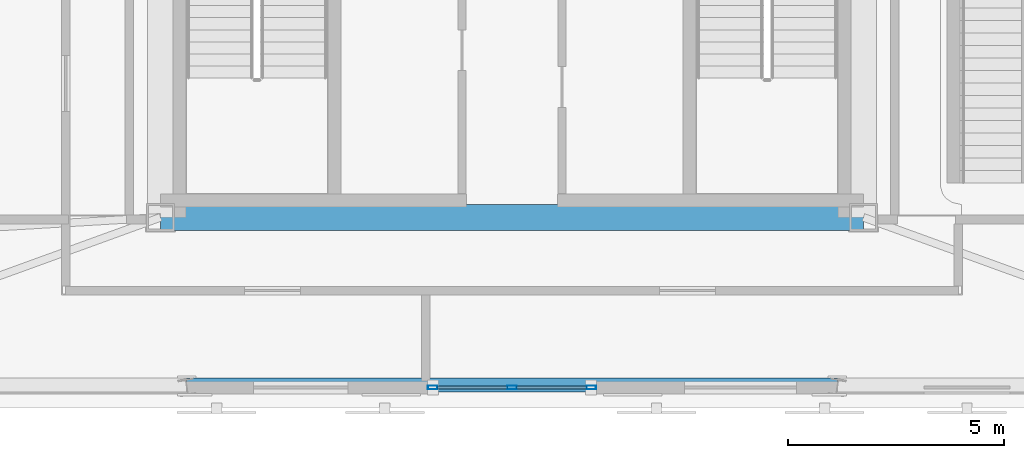
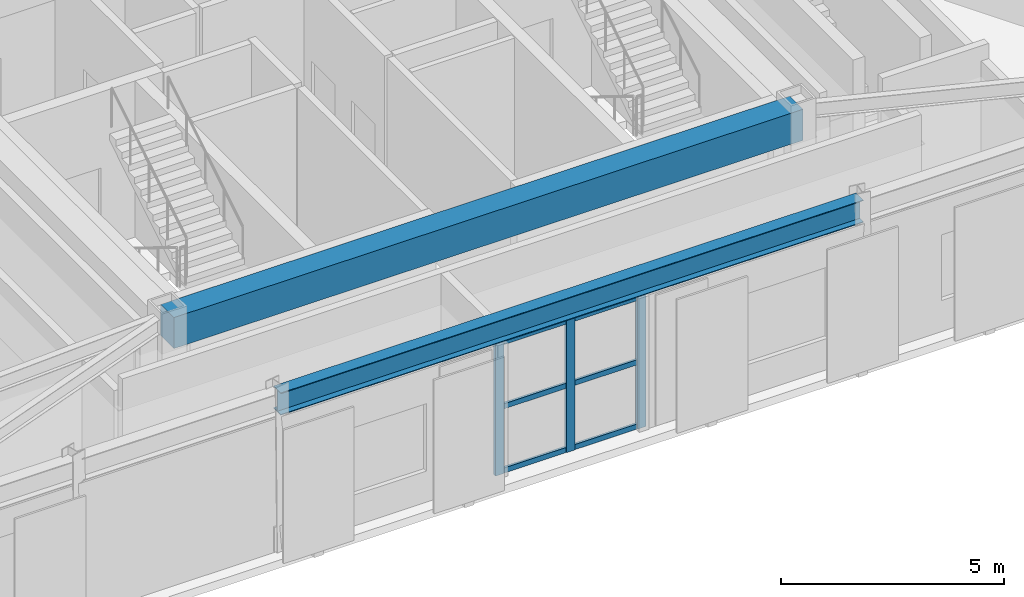
# One storey, part 2 of 15: 9 members, 2 beams, 1 element without a shape of its own.
"""IFC4 building model written with IfcOpenShell, lengths in metres."""

from ifc_helpers import new_model, si_unit, direction, frame, origin, origin_2d, place, context, subcontext, project, spatial, rectangle, hollow_rectangle, i_section, extrude, material, layer, layer_set, material_profile, profile_set, type_object, element, aggregate, save


model = new_model("IFC4")

# Units and contexts
model_context = context("Model", 3, precision=1e-05, world=origin(), true_north=direction((0.0, 1.0)))
body_context = subcontext(model_context, "Body", "Model", "MODEL_VIEW")
ifc_project = project(units=[si_unit("LENGTHUNIT", "METRE"), si_unit("AREAUNIT", "SQUARE_METRE"), si_unit("VOLUMEUNIT", "CUBIC_METRE"), si_unit("PLANEANGLEUNIT", "RADIAN"), si_unit("MASSUNIT", "GRAM", prefix="KILO")], contexts=[model_context])

# Site, building, storey
site_placement = place(None, origin())
site = spatial("IfcSite", under=ifc_project, at=site_placement, CompositionType="ELEMENT")
building_placement = place(site_placement, origin())
building = spatial("IfcBuilding", under=site, at=building_placement, Name="Oramaril Tower", CompositionType="ELEMENT")
storey_placement = place(building_placement, frame((0.0, 0.0, 305.10009765625)))
storey = spatial("IfcBuildingStorey", under=building, at=storey_placement, Name="L80", CompositionType="ELEMENT", Elevation=305.10009765625)

# Beams
ifc_material_1 = material(Name="Concrete C50/60", Category="concrete")
ifc_material_profile_1 = material_profile(ifc_material_1, rectangle(XDim=0.60009765625, YDim=0.85009765625, at=origin_2d()), Name="CB600X850")
ifc_profile_set_1 = profile_set([ifc_material_profile_1], Name="Concrete C50/60")
beam_type_1 = type_object("IfcBeamType", Name="BT-CB2", PredefinedType="BEAM", material=ifc_profile_set_1)
beam_1_placement = place(storey_placement, frame((29.35009765625, 11.0, 3.85498046875), z_axis=(1.0, 0.0, 0.0), x_axis=(0.0, 1.0, 0.0)))
element("IfcBeam", 1, at=beam_1_placement, inside=storey, type_object=beam_type_1, Name="L80 Core Header Beam CB-1", PredefinedType="BEAM", context=body_context, shape_type="SweptSolid", body=[
    extrude(rectangle(XDim=0.60009765625, YDim=0.85009765625, at=origin_2d()), origin(), (0.0, 0.0, 1.0), 16.2998046875),
])
ifc_material_2 = material(Name="Steel ASTM A572 Gr 50", Category="steel")
ifc_material_profile_2 = material_profile(ifc_material_2, i_section(OverallWidth=0.324951171875, OverallDepth=0.612060546875, WebThickness=0.0126953125, FlangeThickness=0.01904296875, at=origin_2d()), Name="W24X104")
ifc_profile_set_2 = profile_set([ifc_material_profile_2], Name="Steel ASTM A572 Gr 50")
beam_type_2 = type_object("IfcBeamType", Name="BT-SP5", PredefinedType="SPANDREL", material=ifc_profile_set_2)
beam_2_placement = place(storey_placement, frame((29.951416015625, 7.109130859375, 3.973876953125), z_axis=(1.0, 0.0, 0.0), x_axis=(0.0, 1.0, 0.0)))
element("IfcBeam", 2, at=beam_2_placement, inside=storey, type_object=beam_type_2, Name="L80 Perimeter Spandrel 04", PredefinedType="SPANDREL", context=body_context, shape_type="SweptSolid", body=[
    extrude(i_section(OverallWidth=0.324951171875, OverallDepth=0.612060546875, WebThickness=0.0126953125, FlangeThickness=0.01904296875, at=origin_2d()), origin(), (0.0, 0.0, 1.0), 15.09716796875),
])

# Curtain wall, members
ifc_material_3 = material(Name="Anodised Aluminium 6063-T6", Category="aluminium")
ifc_layer = layer(ifc_material_3, 0.219970703125)
ifc_layer_set = layer_set([ifc_layer], Name="CWT-SYS6")
curtain_wall_type = type_object("IfcCurtainWallType", Name="CWT-SYS6", PredefinedType="NOTDEFINED", material=ifc_layer_set)
curtain_wall_placement = place(storey_placement, origin())
curtain_wall = element("IfcCurtainWall", 3, at=curtain_wall_placement, inside=storey, type_object=curtain_wall_type, Name="L80 Unitised Curtain Wall CW-6", PredefinedType="NOTDEFINED")
ifc_material_4 = material(Name="Anodised Aluminium 6063-T6", Category="aluminium")
ifc_material_profile_3 = material_profile(ifc_material_4, hollow_rectangle(XDim=0.080078125, YDim=0.219970703125, WallThickness=0.00390625, at=origin_2d()), Name="CWM220X80")
ifc_profile_set_3 = profile_set([ifc_material_profile_3], Name="Anodised Aluminium 6063-T6")
member_type_1 = type_object("IfcMemberType", Name="MT-CWM1", PredefinedType="MULLION", material=ifc_profile_set_3)
member_1_placement = place(storey_placement, frame((35.659912109375, 7.0537109375, 0.0), z_axis=(0.0, 0.0, 1.0), x_axis=(0.0, 1.0, 0.0)))
member_1 = element("IfcMember", 4, at=member_1_placement, type_object=member_type_1, Name="CW-6 mullion 1", PredefinedType="MULLION", context=body_context, shape_type="SweptSolid", body=[
    extrude(hollow_rectangle(XDim=0.080078125, YDim=0.219970703125, WallThickness=0.00390625, at=origin_2d()), origin(), (0.0, 0.0, 1.0), 3.657958984375),
])
member_2_placement = place(storey_placement, frame((37.5, 7.0537109375, 0.0), z_axis=(0.0, 0.0, 1.0), x_axis=(0.0, 1.0, 0.0)))
member_2 = element("IfcMember", 5, at=member_2_placement, type_object=member_type_1, Name="CW-6 mullion 2", PredefinedType="MULLION", context=body_context, shape_type="SweptSolid", body=[
    extrude(hollow_rectangle(XDim=0.080078125, YDim=0.219970703125, WallThickness=0.00390625, at=origin_2d()), origin(), (0.0, 0.0, 1.0), 3.657958984375),
])
member_3_placement = place(storey_placement, frame((39.340087890625, 7.0537109375, 0.0), z_axis=(0.0, 0.0, 1.0), x_axis=(0.0, 1.0, 0.0)))
member_3 = element("IfcMember", 6, at=member_3_placement, type_object=member_type_1, Name="CW-6 mullion 3", PredefinedType="MULLION", context=body_context, shape_type="SweptSolid", body=[
    extrude(hollow_rectangle(XDim=0.080078125, YDim=0.219970703125, WallThickness=0.00390625, at=origin_2d()), origin(), (0.0, 0.0, 1.0), 3.657958984375),
])
ifc_material_5 = material(Name="Anodised Aluminium 6063-T6", Category="aluminium")
ifc_material_profile_4 = material_profile(ifc_material_5, hollow_rectangle(XDim=0.06494140625, YDim=0.139892578125, WallThickness=0.00390625, at=origin_2d()), Name="CWT140X65")
ifc_profile_set_4 = profile_set([ifc_material_profile_4], Name="Anodised Aluminium 6063-T6")
member_type_2 = type_object("IfcMemberType", Name="MT-CWT2", PredefinedType="USERDEFINED", material=ifc_profile_set_4)
member_4_placement = place(storey_placement, frame((35.77001953125, 7.0537109375, 0.06982421875), z_axis=(1.0, 0.0, 0.0), x_axis=(0.0, 1.0, 0.0)))
member_4 = element("IfcMember", 7, at=member_4_placement, type_object=member_type_2, Name="CW-6 transom 1.1", ObjectType="TRANSOM", PredefinedType="USERDEFINED", context=body_context, shape_type="SweptSolid", body=[
    extrude(hollow_rectangle(XDim=0.06494140625, YDim=0.139892578125, WallThickness=0.00390625, at=origin_2d()), origin(), (0.0, 0.0, 1.0), 1.619873046875),
])
member_5_placement = place(storey_placement, frame((35.77001953125, 7.0537109375, 1.828857421875), z_axis=(1.0, 0.0, 0.0), x_axis=(0.0, 1.0, 0.0)))
member_5 = element("IfcMember", 8, at=member_5_placement, type_object=member_type_2, Name="CW-6 transom 1.2", ObjectType="TRANSOM", PredefinedType="USERDEFINED", context=body_context, shape_type="SweptSolid", body=[
    extrude(hollow_rectangle(XDim=0.06494140625, YDim=0.139892578125, WallThickness=0.00390625, at=origin_2d()), origin(), (0.0, 0.0, 1.0), 1.619873046875),
])
member_6_placement = place(storey_placement, frame((35.77001953125, 7.0537109375, 3.587890625), z_axis=(1.0, 0.0, 0.0), x_axis=(0.0, 1.0, 0.0)))
member_6 = element("IfcMember", 9, at=member_6_placement, type_object=member_type_2, Name="CW-6 transom 1.3", ObjectType="TRANSOM", PredefinedType="USERDEFINED", context=body_context, shape_type="SweptSolid", body=[
    extrude(hollow_rectangle(XDim=0.06494140625, YDim=0.139892578125, WallThickness=0.00390625, at=origin_2d()), origin(), (0.0, 0.0, 1.0), 1.619873046875),
])
member_7_placement = place(storey_placement, frame((37.610107421875, 7.0537109375, 0.06982421875), z_axis=(1.0, 0.0, 0.0), x_axis=(0.0, 1.0, 0.0)))
member_7 = element("IfcMember", 10, at=member_7_placement, type_object=member_type_2, Name="CW-6 transom 2.1", ObjectType="TRANSOM", PredefinedType="USERDEFINED", context=body_context, shape_type="SweptSolid", body=[
    extrude(hollow_rectangle(XDim=0.06494140625, YDim=0.139892578125, WallThickness=0.00390625, at=origin_2d()), origin(), (0.0, 0.0, 1.0), 1.619873046875),
])
member_8_placement = place(storey_placement, frame((37.610107421875, 7.0537109375, 1.828857421875), z_axis=(1.0, 0.0, 0.0), x_axis=(0.0, 1.0, 0.0)))
member_8 = element("IfcMember", 11, at=member_8_placement, type_object=member_type_2, Name="CW-6 transom 2.2", ObjectType="TRANSOM", PredefinedType="USERDEFINED", context=body_context, shape_type="SweptSolid", body=[
    extrude(hollow_rectangle(XDim=0.06494140625, YDim=0.139892578125, WallThickness=0.00390625, at=origin_2d()), origin(), (0.0, 0.0, 1.0), 1.619873046875),
])
member_9_placement = place(storey_placement, frame((37.610107421875, 7.0537109375, 3.587890625), z_axis=(1.0, 0.0, 0.0), x_axis=(0.0, 1.0, 0.0)))
member_9 = element("IfcMember", 12, at=member_9_placement, type_object=member_type_2, Name="CW-6 transom 2.3", ObjectType="TRANSOM", PredefinedType="USERDEFINED", context=body_context, shape_type="SweptSolid", body=[
    extrude(hollow_rectangle(XDim=0.06494140625, YDim=0.139892578125, WallThickness=0.00390625, at=origin_2d()), origin(), (0.0, 0.0, 1.0), 1.619873046875),
])
aggregate(curtain_wall, [member_1, member_2, member_3, member_4, member_5, member_6, member_7, member_8, member_9])

save(model, "model.ifc")
